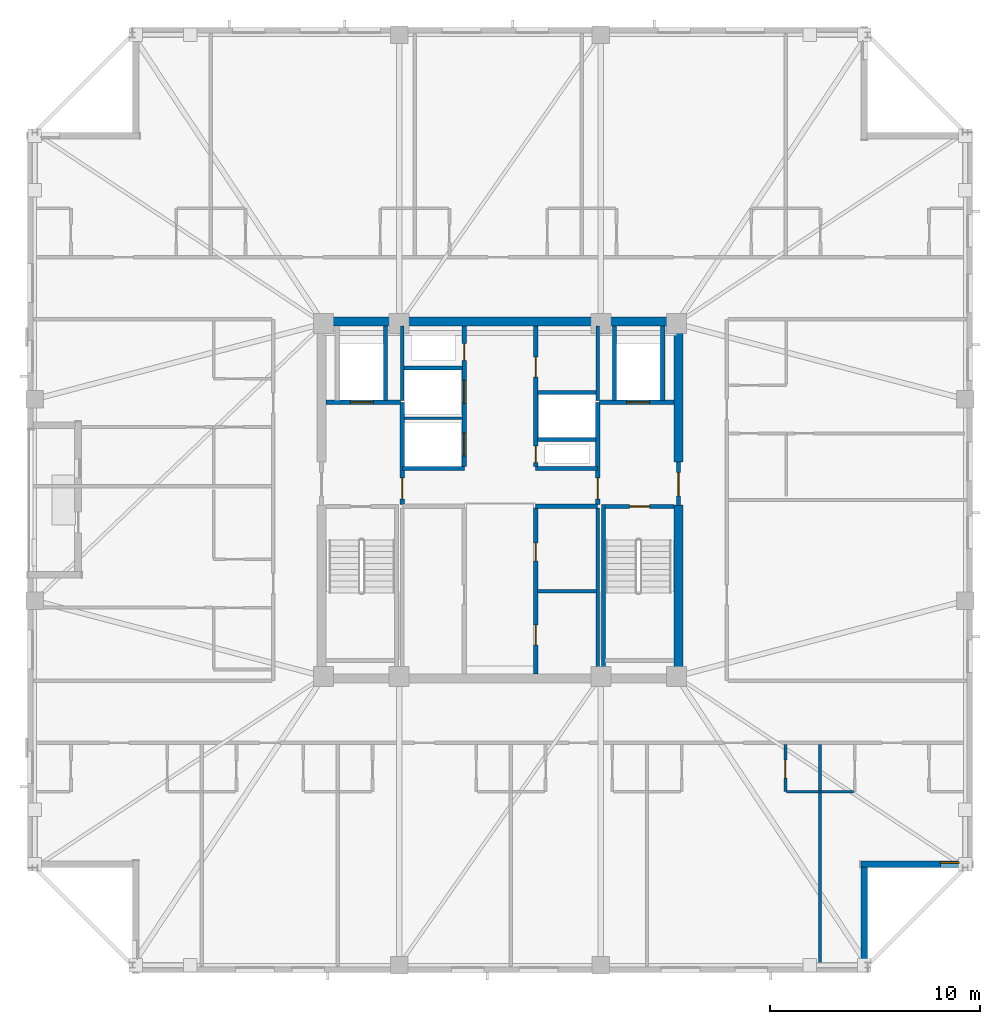
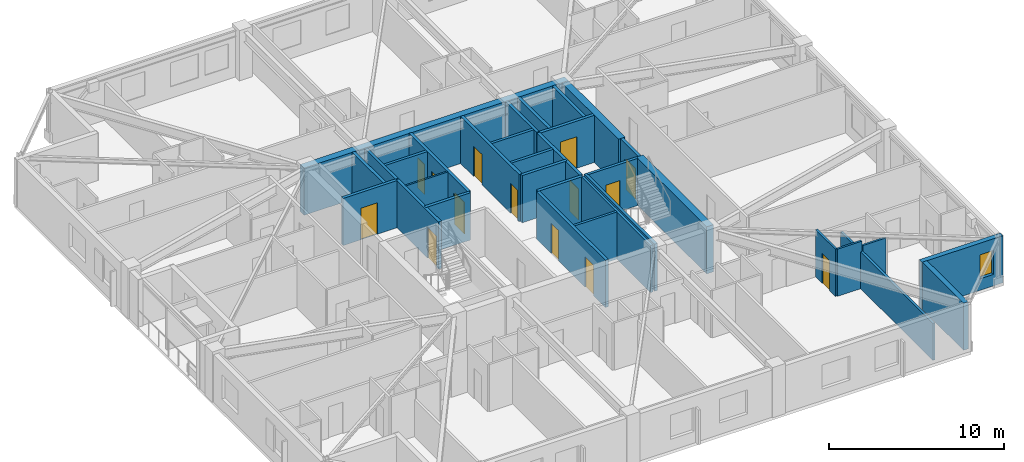
# One storey, part 9 of 17: 33 walls, 14 doors, 1 window, 15 openings.
"""IFC4 building model written with IfcOpenShell, lengths in metres."""

import ifcopenshell
import ifcopenshell.guid

model = None  # the IFC model being written
_history = None  # IfcOwnerHistory: only IFC2X3 demands one
_inside = {}  # id of a spatial element -> (the spatial element, [elements in it])
_under = {}  # id of a project, library or spatial element -> (it, [spatial elements below it])
_declared = {}  # id of a project -> (the project, [libraries it declares])
_typed = {}  # id of a type object -> (the type object, [elements of that type])
_made_of = {}  # id of a material, layer set ... -> (it, [elements and type objects made of it])


def new_model(schema):
    """Start an empty IFC model of exactly this schema.

    Asked for "IFC4X3", IfcOpenShell would pick the latest addendum, in which some entities
    have other attributes; the version numbers below select the first issue.
    IFC2X3 requires an IfcOwnerHistory on every rooted entity: one is made here for all.
    """
    global model, _history
    if schema == "IFC4X3":
        model = ifcopenshell.file(schema_version=(4, 3, 0, 0))
    else:
        model = ifcopenshell.file(schema=schema)
    _inside.clear()
    _under.clear()
    _declared.clear()
    _typed.clear()
    _made_of.clear()
    _history = None
    if model.schema == "IFC2X3":
        org = make("IfcOrganization", Name="unknown")
        user = make(
            "IfcPersonAndOrganization",
            ThePerson=make("IfcPerson", FamilyName="unknown"),
            TheOrganization=org,
        )
        app = make(
            "IfcApplication",
            ApplicationDeveloper=org,
            Version="unknown",
            ApplicationFullName="unknown",
            ApplicationIdentifier="unknown",
        )
        _history = make(
            "IfcOwnerHistory",
            OwningUser=user,
            OwningApplication=app,
            ChangeAction="ADDED",
            CreationDate=0,
        )
    return model


def make(cls, **values):
    """One entity of the class cls with the attributes given. An attribute that is None is left unset."""
    return model.create_entity(
        cls, **{name: value for name, value in values.items() if value is not None}
    )


def rooted(cls, **values):
    """An entity with a GlobalId (a new one), such as an element, a storey or a relation."""
    return make(cls, GlobalId=ifcopenshell.guid.new(), OwnerHistory=_history, **values)


def si_unit(unit_type, name, prefix=None):
    """IfcSIUnit, for example si_unit("LENGTHUNIT", "METRE", prefix="MILLI")."""
    return make("IfcSIUnit", UnitType=unit_type, Prefix=prefix, Name=name)


def assignment(units):
    """IfcUnitAssignment: the units of a project."""
    return None if units is None else make("IfcUnitAssignment", Units=units)


def point(xyz):
    """IfcCartesianPoint."""
    return None if xyz is None else make("IfcCartesianPoint", Coordinates=xyz)


def direction(xyz):
    """IfcDirection."""
    return None if xyz is None else make("IfcDirection", DirectionRatios=xyz)


def frame(location, z_axis=None, x_axis=None):
    """IfcAxis2Placement3D, a coordinate frame: its origin and axes. An axis left out is left unset."""
    return make(
        "IfcAxis2Placement3D",
        Location=point(location),
        Axis=direction(z_axis),
        RefDirection=direction(x_axis),
    )


def frame_2d(location, x_axis=None):
    """IfcAxis2Placement2D, a coordinate frame in the plane: its origin and x axis."""
    return make(
        "IfcAxis2Placement2D", Location=point(location), RefDirection=direction(x_axis)
    )


def origin():
    """The frame at (0, 0, 0) with its axes left unset."""
    return frame((0.0, 0.0, 0.0))


def place(relative_to, where):
    """IfcLocalPlacement: puts the frame where relative to a parent placement (None: the world)."""
    return make(
        "IfcLocalPlacement", PlacementRelTo=relative_to, RelativePlacement=where
    )


def context(
    kind, dimensions, precision=None, world=None, true_north=None, identifier=None
):
    """IfcGeometricRepresentationContext, for example the 3D "Model" context."""
    return make(
        "IfcGeometricRepresentationContext",
        ContextIdentifier=identifier,
        ContextType=kind,
        CoordinateSpaceDimension=dimensions,
        Precision=precision,
        WorldCoordinateSystem=world,
        TrueNorth=true_north,
    )


def subcontext(parent, identifier, kind, view, scale=None):
    """IfcGeometricRepresentationSubContext, for example "Body" below "Model"."""
    return make(
        "IfcGeometricRepresentationSubContext",
        ContextIdentifier=identifier,
        ContextType=kind,
        ParentContext=parent,
        TargetScale=scale,
        TargetView=view,
    )


def project(units=None, contexts=None):
    """IfcProject with its units and contexts."""
    return rooted(
        "IfcProject",
        Name="project",
        RepresentationContexts=contexts,
        UnitsInContext=assignment(units),
    )


def spatial(cls, under=None, at=None, **own):
    """A site, building, storey or space (cls), placed at a placement, below another one or the project."""
    s = rooted(cls, ObjectPlacement=at, **own)
    if under is not None:
        _under.setdefault(under.id(), (under, []))[1].append(s)
    return s


def profile(cls, at=None, kind="AREA", **sizes):
    """A parametric profile (cls). Its sizes go by their IFC names, for example OverallWidth=200.0."""
    return make(cls, ProfileType=kind, Position=at, **sizes)


def rectangle(**sizes):
    """IfcRectangleProfileDef."""
    return profile("IfcRectangleProfileDef", **sizes)


def extrude(swept, where, along, depth):
    """IfcExtrudedAreaSolid: the profile swept, set in the frame where, extruded along a direction by depth."""
    return make(
        "IfcExtrudedAreaSolid",
        SweptArea=swept,
        Position=where,
        ExtrudedDirection=direction(along),
        Depth=depth,
    )


def shape(context_of_items, identifier, shape_type, items):
    """IfcShapeRepresentation: the items that make up one representation, for example the "Body"."""
    return make(
        "IfcShapeRepresentation",
        ContextOfItems=context_of_items,
        RepresentationIdentifier=identifier,
        RepresentationType=shape_type,
        Items=items,
    )


def material(Name=None, Category=None):
    """IfcMaterial."""
    return make("IfcMaterial", Name=Name, Category=Category)


def layer(
    of_material, thickness, ventilated=None, Name=None, Category=None, Priority=None
):
    """IfcMaterialLayer: one layer of a wall or slab, of a material (None: an air gap)."""
    return make(
        "IfcMaterialLayer",
        Material=of_material,
        LayerThickness=thickness,
        IsVentilated=ventilated,
        Name=Name,
        Category=Category,
        Priority=Priority,
    )


def layer_set(layers, Name=None):
    """IfcMaterialLayerSet."""
    return make("IfcMaterialLayerSet", MaterialLayers=layers, LayerSetName=Name)


def made_of(thing, what):
    """Note that an element or type object is made of a material, layer set ...; save() writes the relation."""
    if what is not None:
        _made_of.setdefault(what.id(), (what, []))[1].append(thing)
    return thing


def type_object(cls, material=None, **own):
    """A type object (cls), such as IfcWallType, which elements share."""
    return made_of(rooted(cls, **own), material)


def element(
    cls,
    number,
    at=None,
    inside=None,
    cuts=None,
    type_object=None,
    material=None,
    context=None,
    identifier="Body",
    shape_type=None,
    held_by="IfcProductDefinitionShape",
    body=None,
    shapes=None,
    **own,
):
    """One element of the class cls, such as IfcWall. Its Tag is "e" and its number.

    at: its placement. inside: the storey or other place that contains it. cuts: it is an
    opening in that element (IfcRelVoidsElement). A single representation is given by context,
    identifier, shape_type and body (its items); several are given by shapes. held_by: the class
    of the entity that holds the representations. save() writes the other relations.
    """
    e = rooted(cls, Tag="e%d" % number, ObjectPlacement=at, **own)
    if body is not None:
        shapes = [shape(context, identifier, shape_type, body)]
    if shapes is not None:
        e.Representation = make(held_by, Representations=shapes)
    if inside is not None:
        _inside.setdefault(inside.id(), (inside, []))[1].append(e)
    if cuts is not None:
        rooted(
            "IfcRelVoidsElement", RelatingBuildingElement=cuts, RelatedOpeningElement=e
        )
    if type_object is not None:
        _typed.setdefault(type_object.id(), (type_object, []))[1].append(e)
    return made_of(e, material)


def fill(opening, filler):
    """IfcRelFillsElement: the door or window that sits in an opening."""
    return rooted(
        "IfcRelFillsElement",
        RelatingOpeningElement=opening,
        RelatedBuildingElement=filler,
    )


def aggregate(whole, parts):
    """IfcRelAggregates: a whole, such as a stair, and the parts it consists of."""
    return rooted("IfcRelAggregates", RelatingObject=whole, RelatedObjects=parts)


def save(model, path):
    """Write the relations noted so far, then the file.

    IfcRelAggregates (storeys below a building ...), IfcRelContainedInSpatialStructure (elements
    in a storey), IfcRelDefinesByType, IfcRelAssociatesMaterial and IfcRelDeclares: one each for
    every whole, place, type object, material and project.
    """
    for whole, parts in _under.values():
        aggregate(whole, parts)
    for where, things in _inside.values():
        rooted(
            "IfcRelContainedInSpatialStructure",
            RelatedElements=things,
            RelatingStructure=where,
        )
    for kind, things in _typed.values():
        rooted("IfcRelDefinesByType", RelatedObjects=things, RelatingType=kind)
    for what, things in _made_of.values():
        rooted("IfcRelAssociatesMaterial", RelatedObjects=things, RelatingMaterial=what)
    for by, libraries in _declared.values():
        rooted("IfcRelDeclares", RelatingContext=by, RelatedDefinitions=libraries)
    model.write(path)


model = new_model("IFC4")

# Units and contexts
model_context = context("Model", 3, precision=1e-05, world=origin(), true_north=direction((0.0, 1.0)))
body_context = subcontext(model_context, "Body", "Model", "MODEL_VIEW")
ifc_project = project(units=[si_unit("LENGTHUNIT", "METRE"), si_unit("AREAUNIT", "SQUARE_METRE"), si_unit("VOLUMEUNIT", "CUBIC_METRE"), si_unit("PLANEANGLEUNIT", "RADIAN"), si_unit("MASSUNIT", "GRAM", prefix="KILO")], contexts=[model_context])

# Site, building, storey
site_placement = place(None, origin())
site = spatial("IfcSite", under=ifc_project, at=site_placement, CompositionType="ELEMENT")
building_placement = place(site_placement, origin())
building = spatial("IfcBuilding", under=site, at=building_placement, Name="Cairnveth Concourse Tower", CompositionType="ELEMENT")
storey_placement = place(building_placement, frame((0.0, 0.0, 241.0)))
storey = spatial("IfcBuildingStorey", under=building, at=storey_placement, Name="L66", CompositionType="ELEMENT", Elevation=241.0)

# Walls
ifc_material_1 = material(Name="Gypsum Plasterboard Partition", Category="gypsum")
ifc_layer_1 = layer(ifc_material_1, 0.159912109375)
ifc_layer_set_1 = layer_set([ifc_layer_1], Name="Gypsum Plasterboard Partition")
wall_type_1 = type_object("IfcWallType", Name="ACOUSTIC PARTY WALL 180", PredefinedType="PARTITIONING", material=ifc_layer_set_1)
wall_1_placement = place(storey_placement, frame((56.64990234375, 30.7099609375, 0.0), z_axis=(0.0, 0.0, 1.0), x_axis=(0.0, 1.0, 0.0)))
element("IfcWall", 1, at=wall_1_placement, inside=storey, type_object=wall_type_1, Name="Interior Wall IW-L66-026", PredefinedType="PARTITIONING", context=body_context, shape_type="SweptSolid", body=[
    extrude(rectangle(XDim=7.905029296875, YDim=0.159912109375, at=frame_2d((3.95263671875, 0.0))), origin(), (0.0, 0.0, 1.0), 3.2900390625),
])
wall_2_placement = place(storey_placement, frame((53.784912109375, 34.64990234375, 0.0), z_axis=(0.0, 0.0, 1.0), x_axis=(1.0, 0.0, 0.0)))
element("IfcWall", 2, at=wall_2_placement, inside=storey, type_object=wall_type_1, Name="Interior Wall IW-L66-027", PredefinedType="PARTITIONING", context=body_context, shape_type="SweptSolid", body=[
    extrude(rectangle(XDim=2.800048828125, YDim=0.159912109375, at=frame_2d((1.39990234375, 0.0))), origin(), (0.0, 0.0, 1.0), 3.2900390625),
])
wall_3_placement = place(storey_placement, frame((67.239990234375, 16.804931640625, 0.0), z_axis=(0.0, 0.0, 1.0), x_axis=(0.0, 1.0, 0.0)))
element("IfcWall", 3, at=wall_3_placement, inside=storey, type_object=wall_type_1, Name="Interior Wall IW-L66-066", PredefinedType="PARTITIONING", context=body_context, shape_type="SweptSolid", body=[
    extrude(rectangle(XDim=10.5576171875, YDim=0.159912109375, at=frame_2d((5.27880859375, 0.0))), origin(), (0.0, 0.0, 1.0), 2.572998046875),
])
ifc_material_2 = material(Name="Concrete N65 (65 MPa)", Category="concrete")
ifc_layer_2 = layer(ifc_material_2, 0.449951171875)
ifc_layer_set_2 = layer_set([ifc_layer_2], Name="Concrete N65 (65 MPa)")
wall_type_2 = type_object("IfcWallType", Name="CORE SHEAR WALL 450", PredefinedType="SHEAR", material=ifc_layer_set_2)
wall_4_placement = place(storey_placement, frame((43.27490234375, 47.5, 0.0), z_axis=(0.0, 0.0, 1.0), x_axis=(1.0, 0.0, 0.0)))
element("IfcWall", 4, at=wall_4_placement, inside=storey, type_object=wall_type_2, Name="Core North Shear Wall L66", PredefinedType="SHEAR", context=body_context, shape_type="SweptSolid", body=[
    extrude(rectangle(XDim=17.4501953125, YDim=0.449951171875, at=frame_2d((8.72509765625, 0.0))), origin(), (0.0, 0.0, 1.0), 3.2900390625),
])
wall_5_placement = place(storey_placement, frame((60.5, 30.715087890625, 0.0), z_axis=(0.0, 0.0, 1.0), x_axis=(0.0, 1.0, 0.0)))
element("IfcWall", 5, at=wall_5_placement, inside=storey, type_object=wall_type_2, Name="Core East Shear Wall S L66", PredefinedType="SHEAR", context=body_context, shape_type="SweptSolid", body=[
    extrude(rectangle(XDim=8.034912109375, YDim=0.449951171875, at=frame_2d((4.017578125, 0.0))), origin(), (0.0, 0.0, 1.0), 3.2900390625),
])
wall_6_placement = place(storey_placement, frame((60.5, 40.800048828125, 0.0), z_axis=(0.0, 0.0, 1.0), x_axis=(0.0, 1.0, 0.0)))
element("IfcWall", 6, at=wall_6_placement, inside=storey, type_object=wall_type_2, Name="Core East Shear Wall N L66", PredefinedType="SHEAR", context=body_context, shape_type="SweptSolid", body=[
    extrude(rectangle(XDim=6.48486328125, YDim=0.449951171875, at=frame_2d((3.242431640625, 0.0))), origin(), (0.0, 0.0, 1.0), 3.2900390625),
])
ifc_material_3 = material(Name="Concrete N50 (50 MPa)", Category="concrete")
ifc_layer_3 = layer(ifc_material_3, 0.179931640625)
ifc_layer_set_3 = layer_set([ifc_layer_3], Name="Concrete N50 (50 MPa)")
wall_type_3 = type_object("IfcWallType", Name="FIRE SHAFT WALL 180", PredefinedType="SOLIDWALL", material=ifc_layer_set_3)
wall_7_placement = place(storey_placement, frame((47.35009765625, 43.735107421875, 0.0), z_axis=(0.0, 0.0, 1.0), x_axis=(0.0, 1.0, 0.0)))
element("IfcWall", 7, at=wall_7_placement, inside=storey, type_object=wall_type_3, Name="Interior Wall IW-L66-028", PredefinedType="SOLIDWALL", context=body_context, shape_type="SweptSolid", body=[
    extrude(rectangle(XDim=3.554931640625, YDim=0.179931640625, at=frame_2d((1.77734375, 0.0))), origin(), (0.0, 0.0, 1.0), 3.2900390625),
])
wall_8_placement = place(storey_placement, frame((47.425048828125, 45.280029296875, 0.0), z_axis=(0.0, 0.0, 1.0), x_axis=(1.0, 0.0, 0.0)))
element("IfcWall", 8, at=wall_8_placement, inside=storey, type_object=wall_type_3, Name="Interior Wall IW-L66-030", PredefinedType="SOLIDWALL", context=body_context, shape_type="SweptSolid", body=[
    extrude(rectangle(XDim=2.7900390625, YDim=0.179931640625, at=frame_2d((1.39501953125, 0.0))), origin(), (0.0, 0.0, 1.0), 3.2900390625),
])
wall_9_placement = place(storey_placement, frame((56.64990234375, 43.735107421875, 0.0), z_axis=(0.0, 0.0, 1.0), x_axis=(0.0, 1.0, 0.0)))
element("IfcWall", 9, at=wall_9_placement, inside=storey, type_object=wall_type_3, Name="Interior Wall IW-L66-031", PredefinedType="SOLIDWALL", context=body_context, shape_type="SweptSolid", body=[
    extrude(rectangle(XDim=3.554931640625, YDim=0.179931640625, at=frame_2d((1.77734375, 0.0))), origin(), (0.0, 0.0, 1.0), 3.2900390625),
])
wall_10_placement = place(storey_placement, frame((53.784912109375, 41.8798828125, 0.0), z_axis=(0.0, 0.0, 1.0), x_axis=(1.0, 0.0, 0.0)))
element("IfcWall", 10, at=wall_10_placement, inside=storey, type_object=wall_type_3, Name="Interior Wall IW-L66-032", PredefinedType="SOLIDWALL", context=body_context, shape_type="SweptSolid", body=[
    extrude(rectangle(XDim=2.780029296875, YDim=0.179931640625, at=frame_2d((1.39013671875, 0.0))), origin(), (0.0, 0.0, 1.0), 3.2900390625),
])
wall_11_placement = place(storey_placement, frame((53.784912109375, 44.1201171875, 0.0), z_axis=(0.0, 0.0, 1.0), x_axis=(1.0, 0.0, 0.0)))
element("IfcWall", 11, at=wall_11_placement, inside=storey, type_object=wall_type_3, Name="Interior Wall IW-L66-033", PredefinedType="SOLIDWALL", context=body_context, shape_type="SweptSolid", body=[
    extrude(rectangle(XDim=2.7900390625, YDim=0.179931640625, at=frame_2d((1.39501953125, 0.0))), origin(), (0.0, 0.0, 1.0), 3.2900390625),
])

# Wall, opening, door
wall_12_placement = place(storey_placement, frame((57.0048828125, 38.68994140625, 0.0), z_axis=(0.0, 0.0, 1.0), x_axis=(1.0, 0.0, 0.0)))
wall_12 = element("IfcWall", 12, at=wall_12_placement, inside=storey, type_object=wall_type_3, Name="Stair ST-2 Shaft Wall NEAR L66", PredefinedType="SOLIDWALL", context=body_context, shape_type="SweptSolid", body=[
    extrude(rectangle(XDim=3.280029296875, YDim=0.179931640625, at=frame_2d((1.64013671875, 0.0))), origin(), (0.0, 0.0, 1.0), 3.2900390625),
])
opening_1_placement = place(wall_12_placement, frame((1.1650390625, 0.0, 0.0)))
opening_1 = element("IfcOpeningElement", 13, at=opening_1_placement, cuts=wall_12, Name="Opening ID12", PredefinedType="OPENING", context=body_context, shape_type="SweptSolid", body=[
    extrude(rectangle(XDim=0.949951171875, YDim=2.14990234375, at=frame_2d((0.47509765625, 1.074951171875))), frame((0.0, 0.099853515625, 0.0), z_axis=(0.0, -1.0, 0.0), x_axis=(1.0, 0.0, 0.0)), (0.0, 0.0, 1.0), 0.199951171875),
])
ifc_material_4 = material(Name="Steel Grade 350", Category="steel")
door_type_1 = type_object("IfcDoorType", Name="FIRE STAIR DOOR 950X2150", OperationType="NOTDEFINED", PredefinedType="DOOR", material=ifc_material_4)
door_1_placement = place(opening_1_placement, origin())
door_1 = element("IfcDoor", 14, at=door_1_placement, inside=storey, type_object=door_type_1, Name="Stair ST-2 Fire Door L66", OperationType="SINGLE_SWING_RIGHT", OverallHeight=2.14990234375, OverallWidth=0.949951171875, PredefinedType="DOOR", context=body_context, shape_type="SweptSolid", body=[
    extrude(rectangle(XDim=0.949951171875, YDim=2.14990234375, at=frame_2d((0.47509765625, 1.074951171875))), frame((0.0, 0.02490234375, 0.0), z_axis=(0.0, -1.0, 0.0), x_axis=(1.0, 0.0, 0.0)), (0.0, 0.0, 1.0), 0.050048828125),
])
fill(opening_1, door_1)

# Walls
wall_13_placement = place(storey_placement, frame((56.929931640625, 38.780029296875, 0.0), z_axis=(0.0, 0.0, 1.0), x_axis=(0.0, -1.0, 0.0)))
element("IfcWall", 15, at=wall_13_placement, inside=storey, type_object=wall_type_3, Name="Stair ST-2 Shaft Wall LEFT L66", PredefinedType="SOLIDWALL", context=body_context, shape_type="SweptSolid", body=[
    extrude(rectangle(XDim=8.067138671875, YDim=0.179931640625, at=frame_2d((4.03369140625, 0.0))), origin(), (0.0, 0.0, 1.0), 3.2900390625),
])
ifc_layer_4 = layer(ifc_material_3, 0.199951171875)
ifc_layer_set_4 = layer_set([ifc_layer_4], Name="Concrete N50 (50 MPa)")
wall_type_4 = type_object("IfcWallType", Name="FIRE SHAFT WALL 200", PredefinedType="SOLIDWALL", material=ifc_layer_set_4)
for number, where, z_axis, x_axis, name in (
    (16, (47.35009765625, 40.5, 0.0), (0.0, 0.0, 1.0), (1.0, 0.0, 0.0), "Interior Wall IW-L66-008"),
    (17, (53.699951171875, 38.699951171875, 0.0), (0.0, 0.0, 1.0), (1.0, 0.0, 0.0), "Interior Wall IW-L66-009"),
    (18, (53.699951171875, 40.5, 0.0), (0.0, 0.0, 1.0), (1.0, 0.0, 0.0), "Interior Wall IW-L66-010"),
):
    element("IfcWall", number, at=place(storey_placement, frame(where, z_axis=z_axis, x_axis=x_axis)), inside=storey, type_object=wall_type_4, Name=name, PredefinedType="SOLIDWALL", context=body_context, shape_type="SweptSolid", body=[
        extrude(rectangle(XDim=2.949951171875, YDim=0.199951171875, at=frame_2d((1.47509765625, 0.0))), origin(), (0.0, 0.0, 1.0), 3.2900390625),
    ])

# Wall, openings, doors
wall_14_placement = place(storey_placement, frame((53.699951171875, 30.7099609375, 0.0), z_axis=(0.0, 0.0, 1.0), x_axis=(0.0, 1.0, 0.0)))
wall_14 = element("IfcWall", 19, at=wall_14_placement, inside=storey, type_object=wall_type_4, Name="Interior Wall IW-L66-012", PredefinedType="SOLIDWALL", context=body_context, shape_type="SweptSolid", body=[
    extrude(rectangle(XDim=7.905029296875, YDim=0.199951171875, at=frame_2d((3.95263671875, 0.0))), origin(), (0.0, 0.0, 1.0), 3.2900390625),
])
opening_2_placement = place(wall_14_placement, frame((1.389892578125, 0.0, 0.0)))
opening_2 = element("IfcOpeningElement", 20, at=opening_2_placement, cuts=wall_14, Name="Opening ID25", PredefinedType="OPENING", context=body_context, shape_type="SweptSolid", body=[
    extrude(rectangle(XDim=0.949951171875, YDim=2.1201171875, at=frame_2d((0.47509765625, 1.06005859375))), frame((0.0, 0.10986328125, 0.0), z_axis=(0.0, -1.0, 0.0), x_axis=(1.0, 0.0, 0.0)), (0.0, 0.0, 1.0), 0.219970703125),
])
opening_3_placement = place(wall_14_placement, frame((5.389892578125, 0.0, 0.0)))
opening_3 = element("IfcOpeningElement", 21, at=opening_3_placement, cuts=wall_14, Name="Opening ID19", PredefinedType="OPENING", context=body_context, shape_type="SweptSolid", body=[
    extrude(rectangle(XDim=0.85009765625, YDim=2.1201171875, at=frame_2d((0.425048828125, 1.06005859375))), frame((0.0, 0.10986328125, 0.0), z_axis=(0.0, -1.0, 0.0), x_axis=(1.0, 0.0, 0.0)), (0.0, 0.0, 1.0), 0.219970703125),
])
door_type_2 = type_object("IfcDoorType", Name="CORE ACCESSIBLE FIRE DOOR 950X2120", OperationType="NOTDEFINED", PredefinedType="DOOR", material=ifc_material_4)
door_2_placement = place(opening_2_placement, origin())
door_2 = element("IfcDoor", 22, at=door_2_placement, inside=storey, type_object=door_type_2, Name="Sky WC Door L66", OperationType="SINGLE_SWING_RIGHT", OverallHeight=2.1201171875, OverallWidth=0.949951171875, PredefinedType="DOOR", context=body_context, shape_type="SweptSolid", body=[
    extrude(rectangle(XDim=0.949951171875, YDim=2.1201171875, at=frame_2d((0.47509765625, 1.06005859375))), frame((0.0, 0.02490234375, 0.0), z_axis=(0.0, -1.0, 0.0), x_axis=(1.0, 0.0, 0.0)), (0.0, 0.0, 1.0), 0.050048828125),
])
fill(opening_2, door_2)
door_type_3 = type_object("IfcDoorType", Name="CORE SERVICE DOOR 850X2100", OperationType="NOTDEFINED", PredefinedType="DOOR", material=ifc_material_4)
door_3_placement = place(opening_3_placement, origin())
door_3 = element("IfcDoor", 23, at=door_3_placement, inside=storey, type_object=door_type_3, Name="Janitor Door L66", OperationType="SINGLE_SWING_LEFT", OverallHeight=2.1201171875, OverallWidth=0.85009765625, PredefinedType="DOOR", context=body_context, shape_type="SweptSolid", body=[
    extrude(rectangle(XDim=0.85009765625, YDim=2.1201171875, at=frame_2d((0.425048828125, 1.06005859375))), frame((0.0, 0.02490234375, 0.0), z_axis=(0.0, -1.0, 0.0), x_axis=(1.0, 0.0, 0.0)), (0.0, 0.0, 1.0), 0.050048828125),
])
fill(opening_3, door_3)

wall_15_placement = place(storey_placement, frame((50.300048828125, 40.5849609375, 0.0), z_axis=(0.0, 0.0, 1.0), x_axis=(0.0, 1.0, 0.0)))
wall_15 = element("IfcWall", 24, at=wall_15_placement, inside=storey, type_object=wall_type_4, Name="Interior Wall IW-L66-013", PredefinedType="SOLIDWALL", context=body_context, shape_type="SweptSolid", body=[
    extrude(rectangle(XDim=6.705078125, YDim=0.199951171875, at=frame_2d((3.3525390625, 0.0))), origin(), (0.0, 0.0, 1.0), 3.2900390625),
])
opening_4_placement = place(wall_15_placement, frame((0.514892578125, 0.0, 0.0)))
opening_4 = element("IfcOpeningElement", 25, at=opening_4_placement, cuts=wall_15, Name="Opening LD-1", PredefinedType="OPENING", context=body_context, shape_type="SweptSolid", body=[
    extrude(rectangle(XDim=1.10009765625, YDim=2.199951171875, at=frame_2d((0.550048828125, 1.10009765625))), frame((0.0, 0.10986328125, 0.0), z_axis=(0.0, -1.0, 0.0), x_axis=(1.0, 0.0, 0.0)), (0.0, 0.0, 1.0), 0.219970703125),
])
opening_5_placement = place(wall_15_placement, frame((3.014892578125, 0.0, 0.0)))
opening_5 = element("IfcOpeningElement", 26, at=opening_5_placement, cuts=wall_15, Name="Opening LD-1", PredefinedType="OPENING", context=body_context, shape_type="SweptSolid", body=[
    extrude(rectangle(XDim=1.10009765625, YDim=2.199951171875, at=frame_2d((0.550048828125, 1.10009765625))), frame((0.0, 0.10986328125, 0.0), z_axis=(0.0, -1.0, 0.0), x_axis=(1.0, 0.0, 0.0)), (0.0, 0.0, 1.0), 0.219970703125),
])
opening_6_placement = place(wall_15_placement, frame((5.06494140625, 0.0, 0.0)))
opening_6 = element("IfcOpeningElement", 27, at=opening_6_placement, cuts=wall_15, Name="Opening ID24", PredefinedType="OPENING", context=body_context, shape_type="SweptSolid", body=[
    extrude(rectangle(XDim=0.800048828125, YDim=2.080078125, at=frame_2d((0.39990234375, 1.0400390625))), frame((0.0, 0.10986328125, 0.0), z_axis=(0.0, -1.0, 0.0), x_axis=(1.0, 0.0, 0.0)), (0.0, 0.0, 1.0), 0.219970703125),
])
ifc_material_5 = material(Name="Architectural Bronze Anodised Aluminium 6063-T6", Category="aluminium")
door_type_4 = type_object("IfcDoorType", Name="LIFT LANDING DOOR 1100X2200", OperationType="SLIDING_TO_LEFT", PredefinedType="DOOR", material=ifc_material_5)
door_4_placement = place(opening_4_placement, origin())
door_4 = element("IfcDoor", 28, at=door_4_placement, inside=storey, type_object=door_type_4, Name="Lift PL7 Landing Door L66", OperationType="SLIDING_TO_LEFT", OverallHeight=2.199951171875, OverallWidth=1.10009765625, PredefinedType="DOOR", context=body_context, shape_type="SweptSolid", body=[
    extrude(rectangle(XDim=1.10009765625, YDim=2.199951171875, at=frame_2d((0.550048828125, 1.10009765625))), frame((0.0, 0.02490234375, 0.0), z_axis=(0.0, -1.0, 0.0), x_axis=(1.0, 0.0, 0.0)), (0.0, 0.0, 1.0), 0.050048828125),
])
fill(opening_4, door_4)
door_5_placement = place(opening_5_placement, origin())
door_5 = element("IfcDoor", 29, at=door_5_placement, inside=storey, type_object=door_type_4, Name="Lift PL8 Landing Door L66", OperationType="SLIDING_TO_LEFT", OverallHeight=2.199951171875, OverallWidth=1.10009765625, PredefinedType="DOOR", context=body_context, shape_type="SweptSolid", body=[
    extrude(rectangle(XDim=1.10009765625, YDim=2.199951171875, at=frame_2d((0.550048828125, 1.10009765625))), frame((0.0, 0.02490234375, 0.0), z_axis=(0.0, -1.0, 0.0), x_axis=(1.0, 0.0, 0.0)), (0.0, 0.0, 1.0), 0.050048828125),
])
fill(opening_5, door_5)
door_type_5 = type_object("IfcDoorType", Name="RISER ACCESS DOOR 800X2100", OperationType="NOTDEFINED", PredefinedType="DOOR", material=ifc_material_4)
door_6_placement = place(opening_6_placement, origin())
door_6 = element("IfcDoor", 30, at=door_6_placement, inside=storey, type_object=door_type_5, Name="NW Electrical Riser Access Door L66", OperationType="SINGLE_SWING_RIGHT", OverallHeight=2.080078125, OverallWidth=0.800048828125, PredefinedType="DOOR", context=body_context, shape_type="SweptSolid", body=[
    extrude(rectangle(XDim=0.800048828125, YDim=2.080078125, at=frame_2d((0.39990234375, 1.0400390625))), frame((0.0, 0.02490234375, 0.0), z_axis=(0.0, -1.0, 0.0), x_axis=(1.0, 0.0, 0.0)), (0.0, 0.0, 1.0), 0.050048828125),
])
fill(opening_6, door_6)

wall_16_placement = place(storey_placement, frame((53.699951171875, 40.5849609375, 0.0), z_axis=(0.0, 0.0, 1.0), x_axis=(0.0, 1.0, 0.0)))
wall_16 = element("IfcWall", 31, at=wall_16_placement, inside=storey, type_object=wall_type_4, Name="Interior Wall IW-L66-014", PredefinedType="SOLIDWALL", context=body_context, shape_type="SweptSolid", body=[
    extrude(rectangle(XDim=6.705078125, YDim=0.199951171875, at=frame_2d((3.3525390625, 0.0))), origin(), (0.0, 0.0, 1.0), 3.2900390625),
])
opening_7_placement = place(wall_16_placement, frame((0.195068359375, 0.0, 0.0)))
opening_7 = element("IfcOpeningElement", 32, at=opening_7_placement, cuts=wall_16, Name="Opening ID24", PredefinedType="OPENING", context=body_context, shape_type="SweptSolid", body=[
    extrude(rectangle(XDim=0.800048828125, YDim=2.080078125, at=frame_2d((0.39990234375, 1.0400390625))), frame((0.0, 0.10986328125, 0.0), z_axis=(0.0, -1.0, 0.0), x_axis=(1.0, 0.0, 0.0)), (0.0, 0.0, 1.0), 0.219970703125),
])
opening_8_placement = place(wall_16_placement, frame((4.264892578125, 0.0, 0.0)))
opening_8 = element("IfcOpeningElement", 33, at=opening_8_placement, cuts=wall_16, Name="Opening ID25", PredefinedType="OPENING", context=body_context, shape_type="SweptSolid", body=[
    extrude(rectangle(XDim=0.949951171875, YDim=2.1201171875, at=frame_2d((0.47509765625, 1.06005859375))), frame((0.0, 0.10986328125, 0.0), z_axis=(0.0, -1.0, 0.0), x_axis=(1.0, 0.0, 0.0)), (0.0, 0.0, 1.0), 0.219970703125),
])
door_7_placement = place(opening_8_placement, origin())
door_7 = element("IfcDoor", 34, at=door_7_placement, inside=storey, type_object=door_type_2, Name="Core NE Accessible WC Door L66", OperationType="SINGLE_SWING_RIGHT", OverallHeight=2.1201171875, OverallWidth=0.949951171875, PredefinedType="DOOR", context=body_context, shape_type="SweptSolid", body=[
    extrude(rectangle(XDim=0.949951171875, YDim=2.1201171875, at=frame_2d((0.47509765625, 1.06005859375))), frame((0.0, 0.02490234375, 0.0), z_axis=(0.0, -1.0, 0.0), x_axis=(1.0, 0.0, 0.0)), (0.0, 0.0, 1.0), 0.050048828125),
])
fill(opening_8, door_7)
door_8_placement = place(opening_7_placement, origin())
door_8 = element("IfcDoor", 35, at=door_8_placement, inside=storey, type_object=door_type_5, Name="Hydraulic Riser Door L66", OperationType="SINGLE_SWING_LEFT", OverallHeight=2.080078125, OverallWidth=0.800048828125, PredefinedType="DOOR", context=body_context, shape_type="SweptSolid", body=[
    extrude(rectangle(XDim=0.800048828125, YDim=2.080078125, at=frame_2d((0.39990234375, 1.0400390625))), frame((0.0, 0.02490234375, 0.0), z_axis=(0.0, -1.0, 0.0), x_axis=(1.0, 0.0, 0.0)), (0.0, 0.0, 1.0), 0.050048828125),
])
fill(opening_7, door_8)

# Wall, opening, door
wall_17_placement = place(storey_placement, frame((47.35009765625, 38.784912109375, 0.0), z_axis=(0.0, 0.0, 1.0), x_axis=(0.0, 1.0, 0.0)))
wall_17 = element("IfcWall", 36, at=wall_17_placement, inside=storey, type_object=wall_type_4, Name="Interior Wall IW-L66-016", PredefinedType="SOLIDWALL", context=body_context, shape_type="SweptSolid", body=[
    extrude(rectangle(XDim=4.864990234375, YDim=0.199951171875, at=frame_2d((2.4326171875, 0.0))), origin(), (0.0, 0.0, 1.0), 3.2900390625),
])
opening_9_placement = place(wall_17_placement, frame((0.264892578125, 0.0, 0.0)))
opening_9 = element("IfcOpeningElement", 37, at=opening_9_placement, cuts=wall_17, Name="Opening ID07", PredefinedType="OPENING", context=body_context, shape_type="SweptSolid", body=[
    extrude(rectangle(XDim=1.0, YDim=2.14990234375, at=frame_2d((0.5, 1.074951171875))), frame((0.0, 0.10986328125, 0.0), z_axis=(0.0, -1.0, 0.0), x_axis=(1.0, 0.0, 0.0)), (0.0, 0.0, 1.0), 0.219970703125),
])
door_type_6 = type_object("IfcDoorType", Name="FIRE CORRIDOR DOOR 1000X2150", OperationType="NOTDEFINED", PredefinedType="DOOR", material=ifc_material_4)
door_9_placement = place(opening_9_placement, origin())
door_9 = element("IfcDoor", 38, at=door_9_placement, inside=storey, type_object=door_type_6, Name="FF Lobby West to Lift Lobby Door L66", OperationType="SINGLE_SWING_RIGHT", OverallHeight=2.14990234375, OverallWidth=1.0, PredefinedType="DOOR", context=body_context, shape_type="SweptSolid", body=[
    extrude(rectangle(XDim=1.0, YDim=2.14990234375, at=frame_2d((0.5, 1.074951171875))), frame((0.0, 0.02490234375, 0.0), z_axis=(0.0, -1.0, 0.0), x_axis=(1.0, 0.0, 0.0)), (0.0, 0.0, 1.0), 0.050048828125),
])
fill(opening_9, door_9)

wall_18_placement = place(storey_placement, frame((43.7099609375, 43.64990234375, 0.0), z_axis=(0.0, 0.0, 1.0), x_axis=(1.0, 0.0, 0.0)))
wall_18 = element("IfcWall", 39, at=wall_18_placement, inside=storey, type_object=wall_type_4, Name="Interior Wall IW-L66-017", PredefinedType="SOLIDWALL", context=body_context, shape_type="SweptSolid", body=[
    extrude(rectangle(XDim=3.554931640625, YDim=0.199951171875, at=frame_2d((1.77734375, 0.0))), origin(), (0.0, 0.0, 1.0), 3.2900390625),
])
opening_10_placement = place(wall_18_placement, frame((1.159912109375, 0.0, 0.0)))
opening_10 = element("IfcOpeningElement", 40, at=opening_10_placement, cuts=wall_18, Name="Opening LD-1", PredefinedType="OPENING", context=body_context, shape_type="SweptSolid", body=[
    extrude(rectangle(XDim=1.10009765625, YDim=2.199951171875, at=frame_2d((0.550048828125, 1.10009765625))), frame((0.0, 0.10986328125, 0.0), z_axis=(0.0, -1.0, 0.0), x_axis=(1.0, 0.0, 0.0)), (0.0, 0.0, 1.0), 0.219970703125),
])
door_10_placement = place(opening_10_placement, origin())
door_10 = element("IfcDoor", 41, at=door_10_placement, inside=storey, type_object=door_type_4, Name="Lift FFL1 Landing Door L66", OperationType="SLIDING_TO_LEFT", OverallHeight=2.199951171875, OverallWidth=1.10009765625, PredefinedType="DOOR", context=body_context, shape_type="SweptSolid", body=[
    extrude(rectangle(XDim=1.10009765625, YDim=2.199951171875, at=frame_2d((0.550048828125, 1.10009765625))), frame((0.0, 0.02490234375, 0.0), z_axis=(0.0, -1.0, 0.0), x_axis=(1.0, 0.0, 0.0)), (0.0, 0.0, 1.0), 0.050048828125),
])
fill(opening_10, door_10)

# Wall
wall_19_placement = place(storey_placement, frame((46.550048828125, 43.735107421875, 0.0), z_axis=(0.0, 0.0, 1.0), x_axis=(0.0, 1.0, 0.0)))
element("IfcWall", 42, at=wall_19_placement, inside=storey, type_object=wall_type_4, Name="Interior Wall IW-L66-018", PredefinedType="SOLIDWALL", context=body_context, shape_type="SweptSolid", body=[
    extrude(rectangle(XDim=3.554931640625, YDim=0.199951171875, at=frame_2d((1.77734375, 0.0))), origin(), (0.0, 0.0, 1.0), 3.2900390625),
])

# Wall, opening, door
wall_20_placement = place(storey_placement, frame((60.5, 38.75, 0.0), z_axis=(0.0, 0.0, 1.0), x_axis=(0.0, 1.0, 0.0)))
wall_20 = element("IfcWall", 43, at=wall_20_placement, inside=storey, type_object=wall_type_4, Name="Interior Wall IW-L66-020", PredefinedType="SOLIDWALL", context=body_context, shape_type="SweptSolid", body=[
    extrude(rectangle(XDim=2.050048828125, YDim=0.199951171875, at=frame_2d((1.02490234375, 0.0))), origin(), (0.0, 0.0, 1.0), 3.2900390625),
])
opening_11_placement = place(wall_20_placement, frame((0.449951171875, 0.0, 0.0)))
opening_11 = element("IfcOpeningElement", 44, at=opening_11_placement, cuts=wall_20, Name="Opening ID06", PredefinedType="OPENING", context=body_context, shape_type="SweptSolid", body=[
    extrude(rectangle(XDim=1.10009765625, YDim=2.14990234375, at=frame_2d((0.550048828125, 1.074951171875))), frame((0.0, 0.10986328125, 0.0), z_axis=(0.0, -1.0, 0.0), x_axis=(1.0, 0.0, 0.0)), (0.0, 0.0, 1.0), 0.219970703125),
])
door_type_7 = type_object("IfcDoorType", Name="FIRE CORRIDOR DOOR 1100X2150", OperationType="NOTDEFINED", PredefinedType="DOOR", material=ifc_material_4)
door_11_placement = place(opening_11_placement, origin())
door_11 = element("IfcDoor", 45, at=door_11_placement, inside=storey, type_object=door_type_7, Name="East Wing to FF Lobby Door L66", OperationType="SINGLE_SWING_RIGHT", OverallHeight=2.14990234375, OverallWidth=1.10009765625, PredefinedType="DOOR", context=body_context, shape_type="SweptSolid", body=[
    extrude(rectangle(XDim=1.10009765625, YDim=2.14990234375, at=frame_2d((0.550048828125, 1.074951171875))), frame((0.0, 0.02490234375, 0.0), z_axis=(0.0, -1.0, 0.0), x_axis=(1.0, 0.0, 0.0)), (0.0, 0.0, 1.0), 0.050048828125),
])
fill(opening_11, door_11)

wall_21_placement = place(storey_placement, frame((56.64990234375, 38.784912109375, 0.0), z_axis=(0.0, 0.0, 1.0), x_axis=(0.0, 1.0, 0.0)))
wall_21 = element("IfcWall", 46, at=wall_21_placement, inside=storey, type_object=wall_type_4, Name="Interior Wall IW-L66-021", PredefinedType="SOLIDWALL", context=body_context, shape_type="SweptSolid", body=[
    extrude(rectangle(XDim=4.864990234375, YDim=0.199951171875, at=frame_2d((2.4326171875, 0.0))), origin(), (0.0, 0.0, 1.0), 3.2900390625),
])
opening_12_placement = place(wall_21_placement, frame((0.264892578125, 0.0, 0.0)))
opening_12 = element("IfcOpeningElement", 47, at=opening_12_placement, cuts=wall_21, Name="Opening ID07", PredefinedType="OPENING", context=body_context, shape_type="SweptSolid", body=[
    extrude(rectangle(XDim=1.0, YDim=2.14990234375, at=frame_2d((0.5, 1.074951171875))), frame((0.0, 0.10986328125, 0.0), z_axis=(0.0, -1.0, 0.0), x_axis=(1.0, 0.0, 0.0)), (0.0, 0.0, 1.0), 0.219970703125),
])
door_12_placement = place(opening_12_placement, origin())
door_12 = element("IfcDoor", 48, at=door_12_placement, inside=storey, type_object=door_type_6, Name="FF Lobby East to Lift Lobby Door L66", OperationType="SINGLE_SWING_LEFT", OverallHeight=2.14990234375, OverallWidth=1.0, PredefinedType="DOOR", context=body_context, shape_type="SweptSolid", body=[
    extrude(rectangle(XDim=1.0, YDim=2.14990234375, at=frame_2d((0.5, 1.074951171875))), frame((0.0, 0.02490234375, 0.0), z_axis=(0.0, -1.0, 0.0), x_axis=(1.0, 0.0, 0.0)), (0.0, 0.0, 1.0), 0.050048828125),
])
fill(opening_12, door_12)

wall_22_placement = place(storey_placement, frame((56.735107421875, 43.64990234375, 0.0), z_axis=(0.0, 0.0, 1.0), x_axis=(1.0, 0.0, 0.0)))
wall_22 = element("IfcWall", 49, at=wall_22_placement, inside=storey, type_object=wall_type_4, Name="Interior Wall IW-L66-022", PredefinedType="SOLIDWALL", context=body_context, shape_type="SweptSolid", body=[
    extrude(rectangle(XDim=3.554931640625, YDim=0.199951171875, at=frame_2d((1.77734375, 0.0))), origin(), (0.0, 0.0, 1.0), 3.2900390625),
])
opening_13_placement = place(wall_22_placement, frame((1.294921875, 0.0, 0.0)))
opening_13 = element("IfcOpeningElement", 50, at=opening_13_placement, cuts=wall_22, Name="Opening LD-1", PredefinedType="OPENING", context=body_context, shape_type="SweptSolid", body=[
    extrude(rectangle(XDim=1.10009765625, YDim=2.199951171875, at=frame_2d((0.550048828125, 1.10009765625))), frame((0.0, 0.10986328125, 0.0), z_axis=(0.0, -1.0, 0.0), x_axis=(1.0, 0.0, 0.0)), (0.0, 0.0, 1.0), 0.219970703125),
])
door_13_placement = place(opening_13_placement, origin())
door_13 = element("IfcDoor", 51, at=door_13_placement, inside=storey, type_object=door_type_4, Name="Lift FFL2 Landing Door L66", OperationType="SLIDING_TO_LEFT", OverallHeight=2.199951171875, OverallWidth=1.10009765625, PredefinedType="DOOR", context=body_context, shape_type="SweptSolid", body=[
    extrude(rectangle(XDim=1.10009765625, YDim=2.199951171875, at=frame_2d((0.550048828125, 1.10009765625))), frame((0.0, 0.02490234375, 0.0), z_axis=(0.0, -1.0, 0.0), x_axis=(1.0, 0.0, 0.0)), (0.0, 0.0, 1.0), 0.050048828125),
])
fill(opening_13, door_13)

# Walls
for number, where, z_axis, x_axis, name in (
    (52, (57.449951171875, 43.735107421875, 0.0), (0.0, 0.0, 1.0), (0.0, 1.0, 0.0), "Interior Wall IW-L66-023"),
    (53, (59.75, 43.735107421875, 0.0), (0.0, 0.0, 1.0), (0.0, 1.0, 0.0), "Interior Wall IW-L66-024"),
):
    element("IfcWall", number, at=place(storey_placement, frame(where, z_axis=z_axis, x_axis=x_axis)), inside=storey, type_object=wall_type_4, Name=name, PredefinedType="SOLIDWALL", context=body_context, shape_type="SweptSolid", body=[
        extrude(rectangle(XDim=3.554931640625, YDim=0.199951171875, at=frame_2d((1.77734375, 0.0))), origin(), (0.0, 0.0, 1.0), 3.2900390625),
    ])
ifc_layer_5 = layer(ifc_material_1, 0.110107421875)
ifc_layer_set_5 = layer_set([ifc_layer_5], Name="Gypsum Plasterboard Partition")
wall_type_5 = type_object("IfcWallType", Name="SHAFT DIVIDER WALL 140", PredefinedType="PARTITIONING", material=ifc_layer_set_5)
wall_23_placement = place(storey_placement, frame((47.43505859375, 42.89990234375, 0.0), z_axis=(0.0, 0.0, 1.0), x_axis=(1.0, 0.0, 0.0)))
element("IfcWall", 54, at=wall_23_placement, inside=storey, type_object=wall_type_5, Name="Interior Wall IW-L66-029", PredefinedType="PARTITIONING", context=body_context, shape_type="SweptSolid", body=[
    extrude(rectangle(XDim=2.780029296875, YDim=0.110107421875, at=frame_2d((1.39013671875, 0.0))), origin(), (0.0, 0.0, 1.0), 3.2900390625),
])

# Wall, opening, door
ifc_layer_6 = layer(ifc_material_1, 0.1298828125)
ifc_layer_set_6 = layer_set([ifc_layer_6], Name="Gypsum Plasterboard Partition")
wall_type_6 = type_object("IfcWallType", Name="WET AREA PARTITION 140", PredefinedType="PLUMBINGWALL", material=ifc_layer_set_6)
wall_24_placement = place(storey_placement, frame((65.590087890625, 25.112548828125, 0.0), z_axis=(0.0, 0.0, 1.0), x_axis=(0.0, 1.0, 0.0)))
wall_24 = element("IfcWall", 55, at=wall_24_placement, inside=storey, type_object=wall_type_6, Name="Interior Wall IW-L66-064", PredefinedType="PLUMBINGWALL", context=body_context, shape_type="SweptSolid", body=[
    extrude(rectangle(XDim=2.25, YDim=0.1298828125, at=frame_2d((1.125, 0.0))), origin(), (0.0, 0.0, 1.0), 3.2900390625),
])
opening_14_placement = place(wall_24_placement, frame((0.64990234375, 0.0, 0.0)))
opening_14 = element("IfcOpeningElement", 56, at=opening_14_placement, cuts=wall_24, Name="Opening ID20", PredefinedType="OPENING", context=body_context, shape_type="SweptSolid", body=[
    extrude(rectangle(XDim=0.85009765625, YDim=2.10009765625, at=frame_2d((0.425048828125, 1.050048828125))), frame((0.0, 0.074951171875, 0.0), z_axis=(0.0, -1.0, 0.0), x_axis=(1.0, 0.0, 0.0)), (0.0, 0.0, 1.0), 0.14990234375),
])
ifc_material_6 = material(Name="Solid Core Hardwood Timber Leaf", Category="wood")
door_type_8 = type_object("IfcDoorType", Name="INTERIOR SINGLE DOOR 850X2100", OperationType="NOTDEFINED", PredefinedType="DOOR", material=ifc_material_6)
door_14_placement = place(opening_14_placement, origin())
door_14 = element("IfcDoor", 57, at=door_14_placement, inside=storey, type_object=door_type_8, Name="L66STS5 Kitchen Door", OperationType="SINGLE_SWING_RIGHT", OverallHeight=2.10009765625, OverallWidth=0.85009765625, PredefinedType="DOOR", context=body_context, shape_type="SweptSolid", body=[
    extrude(rectangle(XDim=0.85009765625, YDim=2.10009765625, at=frame_2d((0.425048828125, 1.050048828125))), frame((0.0, 0.02490234375, 0.0), z_axis=(0.0, -1.0, 0.0), x_axis=(1.0, 0.0, 0.0)), (0.0, 0.0, 1.0), 0.050048828125),
])
fill(opening_14, door_14)

# Walls
wall_25_placement = place(storey_placement, frame((65.639892578125, 25.112548828125, 0.0), z_axis=(0.0, 0.0, 1.0), x_axis=(1.0, 0.0, 0.0)))
element("IfcWall", 58, at=wall_25_placement, inside=storey, type_object=wall_type_6, Name="Interior Wall IW-L66-065", PredefinedType="PLUMBINGWALL", context=body_context, shape_type="SweptSolid", body=[
    extrude(rectangle(XDim=1.60009765625, YDim=0.1298828125, at=frame_2d((0.800048828125, 0.0))), origin(), (0.0, 0.0, 1.0), 3.2900390625),
])
wall_26_placement = place(storey_placement, frame((67.304931640625, 25.112548828125, 0.0), z_axis=(0.0, 0.0, 1.0), x_axis=(1.0, 0.0, 0.0)))
element("IfcWall", 59, at=wall_26_placement, inside=storey, type_object=wall_type_6, Name="Interior Wall IW-L66-068", PredefinedType="PLUMBINGWALL", context=body_context, shape_type="SweptSolid", body=[
    extrude(rectangle(XDim=1.53515625, YDim=0.1298828125, at=frame_2d((0.767578125, 0.0))), origin(), (0.0, 0.0, 1.0), 2.9580078125),
])

# Wall, opening, window
ifc_material_7 = material(Name="Melbourne Buff Fired Clay Brick Masonry", Category="masonry")
ifc_layer_7 = layer(ifc_material_7, 0.320068359375)
ifc_layer_set_7 = layer_set([ifc_layer_7], Name="Melbourne Buff Fired Clay Brick Masonry")
wall_type_7 = type_object("IfcWallType", Name="ZONE 3 BRICK PIER SPANDREL WALL 320", PredefinedType="SOLIDWALL", material=ifc_layer_set_7)
wall_27_placement = place(storey_placement, frame((74.5, 21.659912109375, 0.0), z_axis=(0.0, 0.0, 1.0), x_axis=(-1.0, 0.0, 0.0)))
wall_27 = element("IfcWall", 60, at=wall_27_placement, inside=storey, type_object=wall_type_7, Name="Exterior Wall EW-L66-S07", PredefinedType="SOLIDWALL", context=body_context, shape_type="SweptSolid", body=[
    extrude(rectangle(XDim=5.320068359375, YDim=0.320068359375, at=frame_2d((2.66015625, 0.0))), origin(), (0.0, 0.0, 1.0), 3.2900390625),
])
opening_15_placement = place(wall_27_placement, frame((0.6298828125, 0.0, 0.800048828125)))
opening_15 = element("IfcOpeningElement", 61, at=opening_15_placement, cuts=wall_27, Name="Opening W13", PredefinedType="OPENING", context=body_context, shape_type="SweptSolid", body=[
    extrude(rectangle(XDim=0.89990234375, YDim=1.677978515625, at=frame_2d((0.449951171875, 0.8388671875))), frame((0.0, 0.169921875, 0.0), z_axis=(0.0, -1.0, 0.0), x_axis=(1.0, 0.0, 0.0)), (0.0, 0.0, 1.0), 0.340087890625),
])
ifc_material_8 = material(Name="Double Glazed Low-E Clear Glass", Category="glass")
window_type = type_object("IfcWindowType", Name="DEEP-SET BEDROOM LANCET WINDOW 900X1750", PartitioningType="DOUBLE_PANEL_VERTICAL", PredefinedType="WINDOW", material=ifc_material_8)
window_placement = place(opening_15_placement, origin())
window = element("IfcWindow", 62, at=window_placement, inside=storey, type_object=window_type, Name="Dwelling Lancet Window L66-DW2", OverallHeight=1.677978515625, OverallWidth=0.89990234375, PartitioningType="SINGLE_PANEL", PredefinedType="WINDOW", context=body_context, shape_type="SweptSolid", body=[
    extrude(rectangle(XDim=0.89990234375, YDim=1.677978515625, at=frame_2d((0.449951171875, 0.8388671875))), frame((0.0, -0.0400390625, 0.0), z_axis=(0.0, -1.0, 0.0), x_axis=(1.0, 0.0, 0.0)), (0.0, 0.0, 1.0), 0.06005859375),
])
fill(opening_15, window)

# Wall
wall_28_placement = place(storey_placement, frame((69.340087890625, 21.52197265625, 0.0), z_axis=(0.0, 0.0, 1.0), x_axis=(0.0, -1.0, 0.0)))
element("IfcWall", 63, at=wall_28_placement, inside=storey, type_object=wall_type_7, Name="Exterior Wall EW-L66-S08", PredefinedType="SOLIDWALL", context=body_context, shape_type="SweptSolid", body=[
    extrude(rectangle(XDim=4.723876953125, YDim=0.320068359375, at=frame_2d((2.36181640625, 0.0))), origin(), (0.0, 0.0, 1.0), 3.2900390625),
])

save(model, "model.ifc")
